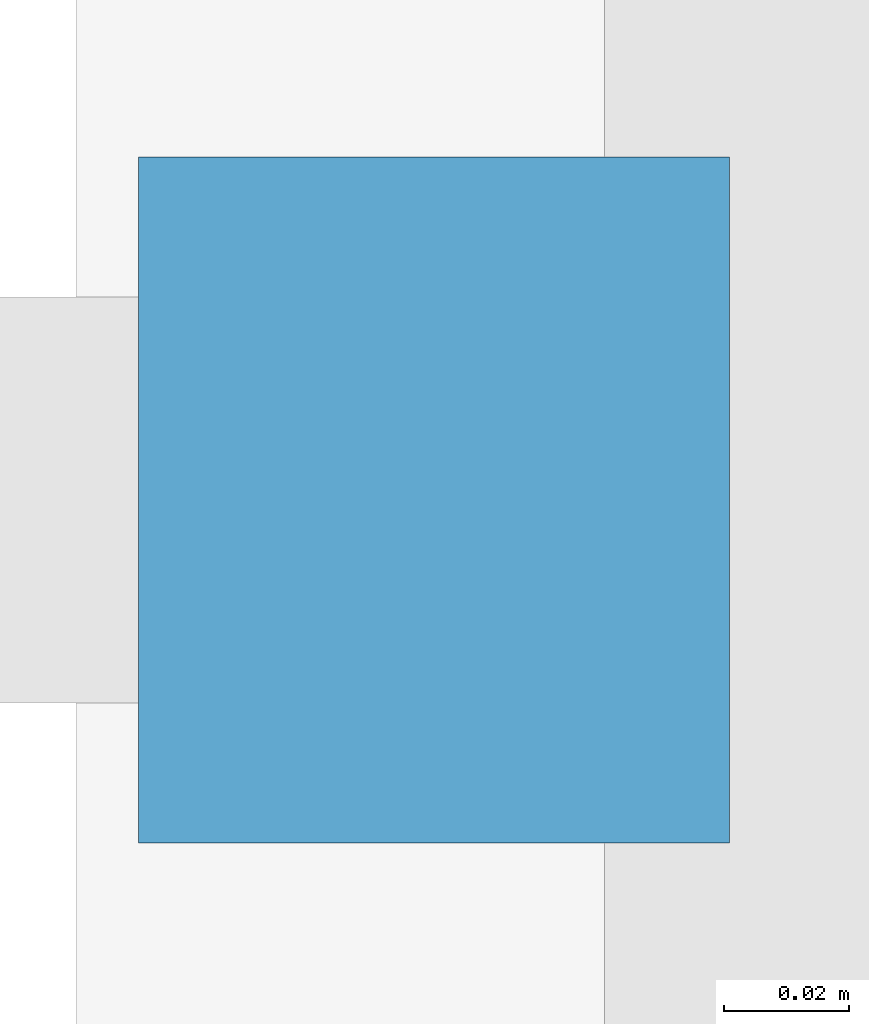
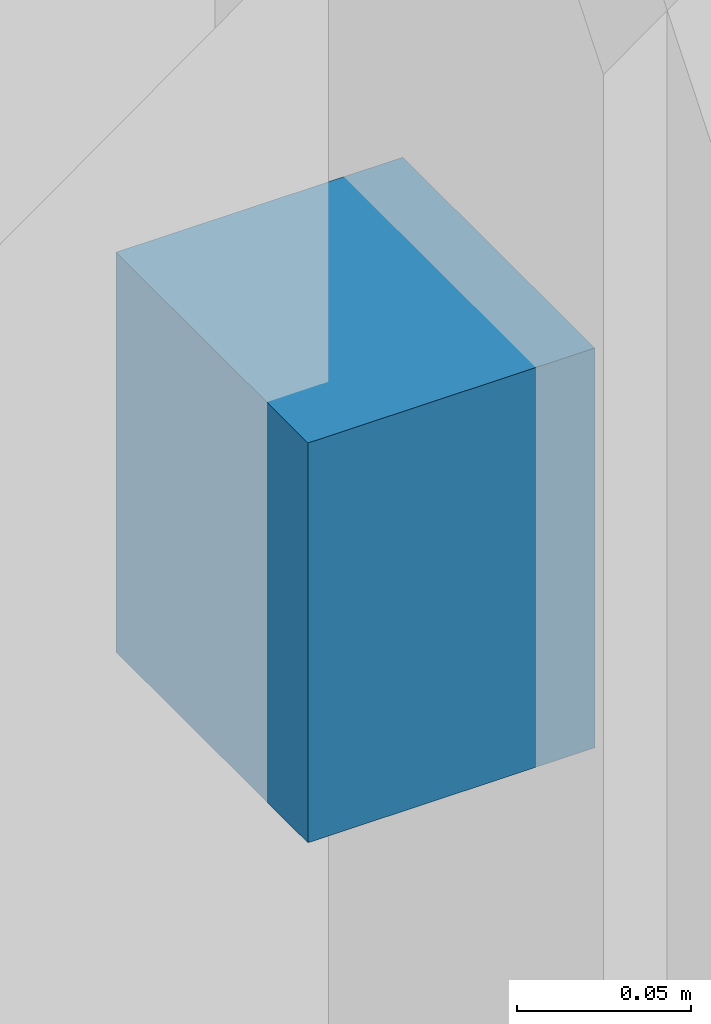
# One storey, part 12 of 16: 1 discrete accessory.
"""IFC4 building model written with IfcOpenShell, lengths in metres."""

from ifc_helpers import new_model, si_unit, direction, frame, origin, place, context, subcontext, project, spatial, polyline, outline, extrude, material, type_object, element, save


model = new_model("IFC4")

# Units and contexts
model_context = context("Model", 3, precision=1e-05, world=origin(), true_north=direction((0.0, 1.0)))
body_context = subcontext(model_context, "Body", "Model", "MODEL_VIEW")
ifc_project = project(units=[si_unit("LENGTHUNIT", "METRE"), si_unit("AREAUNIT", "SQUARE_METRE"), si_unit("VOLUMEUNIT", "CUBIC_METRE"), si_unit("PLANEANGLEUNIT", "RADIAN"), si_unit("MASSUNIT", "GRAM", prefix="KILO")], contexts=[model_context])

# Site, building, storey
site_placement = place(None, origin())
site = spatial("IfcSite", under=ifc_project, at=site_placement, CompositionType="ELEMENT")
building_placement = place(site_placement, origin())
building = spatial("IfcBuilding", under=site, at=building_placement, Name="Qalmaran Belvedere Hotel", CompositionType="ELEMENT")
storey_placement = place(building_placement, frame((0.0, 0.0, 83.800048828125)))
storey = spatial("IfcBuildingStorey", under=building, at=storey_placement, Name="L20", CompositionType="ELEMENT", Elevation=83.800048828125)

# Discrete accessory
ifc_material = material(Name="Stainless Steel 1.4401", Category="steel")
discrete_accessory_type = type_object("IfcDiscreteAccessoryType", Name="BRK-FIN-SS316", PredefinedType="BRACKET", material=ifc_material)
discrete_accessory_placement = place(storey_placement, frame((0.0, 0.0, 2.02001953125)))
element("IfcDiscreteAccessory", 1, at=discrete_accessory_placement, inside=storey, type_object=discrete_accessory_type, Name="L20 Fin Bracket 1", PredefinedType="BRACKET", context=body_context, shape_type="SweptSolid", body=[
    extrude(outline(polyline([(11.455078125, 33.905029296875), (11.360107421875, 33.905029296875), (11.360107421875, 33.794921875), (11.455078125, 33.794921875), (11.455078125, 33.905029296875)])), origin(), (0.0, 0.0, 1.0), 0.139892578125),
])

save(model, "model.ifc")
